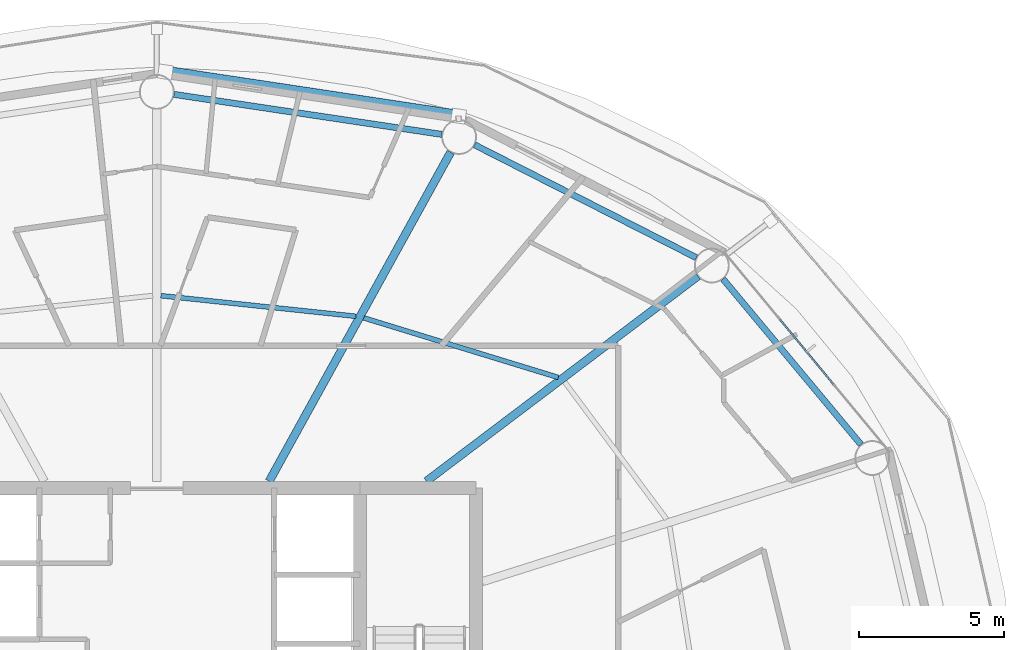
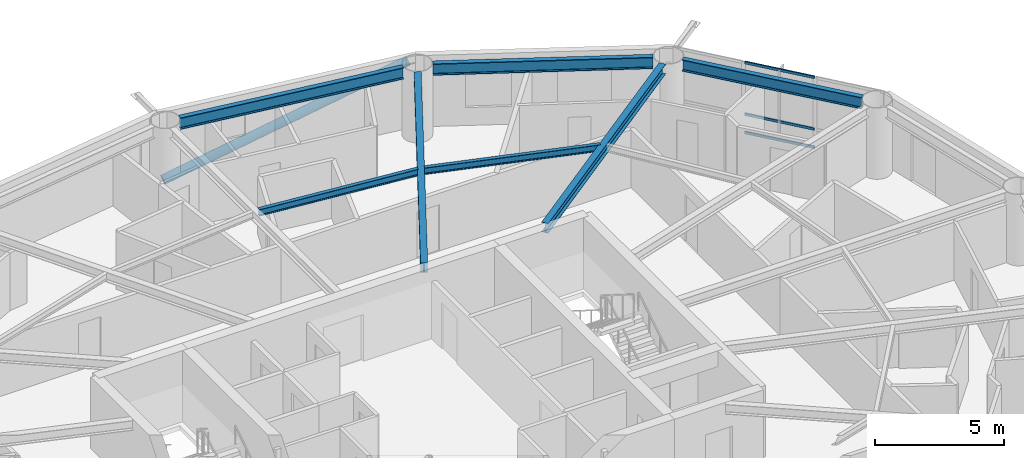
# One storey, part 14 of 28: 7 beams, 4 members, 1 element without a shape of its own.
"""IFC4 building model written with IfcOpenShell, lengths in metres."""

from ifc_helpers import new_model, si_unit, direction, frame, origin, origin_2d, place, context, subcontext, project, spatial, hollow_rectangle, hollow_circle, i_section, extrude, material, layer, layer_set, material_profile, profile_set, type_object, element, aggregate, save


model = new_model("IFC4")

# Units and contexts
model_context = context("Model", 3, precision=1e-05, world=origin(), true_north=direction((0.0, 1.0)))
body_context = subcontext(model_context, "Body", "Model", "MODEL_VIEW")
ifc_project = project(units=[si_unit("LENGTHUNIT", "METRE"), si_unit("AREAUNIT", "SQUARE_METRE"), si_unit("VOLUMEUNIT", "CUBIC_METRE"), si_unit("PLANEANGLEUNIT", "RADIAN"), si_unit("MASSUNIT", "GRAM", prefix="KILO")], contexts=[model_context])

# Site, building, storey
site_placement = place(None, origin())
site = spatial("IfcSite", under=ifc_project, at=site_placement, CompositionType="ELEMENT")
building_placement = place(site_placement, origin())
building = spatial("IfcBuilding", under=site, at=building_placement, Name="Sarneth Arch Tower", CompositionType="ELEMENT")
storey_placement = place(building_placement, frame((0.0, 0.0, 179.39990234375)))
storey = spatial("IfcBuildingStorey", under=building, at=storey_placement, Name="L45", CompositionType="ELEMENT", Elevation=179.39990234375)

# Beams
ifc_material_1 = material(Name="Steel S355", Category="steel")
ifc_material_profile_1 = material_profile(ifc_material_1, i_section(OverallWidth=0.1669921875, OverallDepth=0.31689453125, WebThickness=0.007568359375, FlangeThickness=0.01318359375, FilletRadius=0.012939453125, at=origin_2d()), Name="W310x52")
ifc_profile_set_1 = profile_set([ifc_material_profile_1], Name="Steel S355")
beam_type_1 = type_object("IfcBeamType", Name="BM-JOIST-310B", PredefinedType="JOIST", material=ifc_profile_set_1)
beam_1_placement = place(storey_placement, frame((61.84130859375, 52.602783203125, 3.2216796875), z_axis=(-0.956178669891, 0.292783796076, 0.0), x_axis=(-0.292783796076, -0.956178669891, 0.0)))
element("IfcBeam", 1, at=beam_1_placement, inside=storey, type_object=beam_type_1, Name="L45 Secondary floor joist 03", PredefinedType="JOIST", context=body_context, shape_type="SweptSolid", body=[
    extrude(i_section(OverallWidth=0.1669921875, OverallDepth=0.31689453125, WebThickness=0.007568359375, FlangeThickness=0.01318359375, FilletRadius=0.012939453125, at=origin_2d()), origin(), (0.0, 0.0, 1.0), 7.010986328125),
])
beam_2_placement = place(storey_placement, frame((54.8642578125, 54.711181640625, 3.2216796875), z_axis=(-0.994447340543, 0.105235387994, 0.0), x_axis=(-0.105235387994, -0.994447340543, 0.0)))
element("IfcBeam", 2, at=beam_2_placement, inside=storey, type_object=beam_type_1, Name="L45 Secondary floor joist 04", PredefinedType="JOIST", context=body_context, shape_type="SweptSolid", body=[
    extrude(i_section(OverallWidth=0.1669921875, OverallDepth=0.31689453125, WebThickness=0.007568359375, FlangeThickness=0.01318359375, FilletRadius=0.012939453125, at=origin_2d()), origin(), (0.0, 0.0, 1.0), 6.7626953125),
])
ifc_material_2 = material(Name="Steel S355", Category="steel")
ifc_material_profile_2 = material_profile(ifc_material_2, i_section(OverallWidth=0.280029296875, OverallDepth=0.462890625, WebThickness=0.0107421875, FlangeThickness=0.017333984375, FilletRadius=0.01806640625, at=origin_2d()), Name="W460x113")
ifc_profile_set_2 = profile_set([ifc_material_profile_2], Name="Steel S355")
beam_type_2 = type_object("IfcBeamType", Name="BM-RAD-460A", PredefinedType="BEAM", material=ifc_profile_set_2)
beam_3_placement = place(storey_placement, frame((57.29541015625, 49.02490234375, 3.148681640625), z_axis=(0.797784574467, 0.602942594898, 0.0), x_axis=(-0.602942594898, 0.797784574467, 0.0)))
element("IfcBeam", 3, at=beam_3_placement, inside=storey, type_object=beam_type_2, Name="L45 Radial floor girder 03", PredefinedType="BEAM", context=body_context, shape_type="SweptSolid", body=[
    extrude(i_section(OverallWidth=0.280029296875, OverallDepth=0.462890625, WebThickness=0.0107421875, FlangeThickness=0.017333984375, FilletRadius=0.01806640625, at=origin_2d()), origin(), (0.0, 0.0, 1.0), 11.73193359375),
])
beam_4_placement = place(storey_placement, frame((51.875, 49.02490234375, 3.148681640625), z_axis=(0.483010082599, 0.875614789795, 0.0), x_axis=(-0.875614789795, 0.483010082599, 0.0)))
element("IfcBeam", 4, at=beam_4_placement, inside=storey, type_object=beam_type_2, Name="L45 Radial floor girder 04", PredefinedType="BEAM", context=body_context, shape_type="SweptSolid", body=[
    extrude(i_section(OverallWidth=0.280029296875, OverallDepth=0.462890625, WebThickness=0.0107421875, FlangeThickness=0.017333984375, FilletRadius=0.01806640625, at=origin_2d()), origin(), (0.0, 0.0, 1.0), 12.954345703125),
])
ifc_material_3 = material(Name="Steel S355", Category="steel")
ifc_material_profile_3 = material_profile(ifc_material_3, i_section(OverallWidth=0.214111328125, OverallDepth=0.549072265625, WebThickness=0.0146484375, FlangeThickness=0.023681640625, FilletRadius=0.01806640625, at=origin_2d()), Name="W530x138")
ifc_profile_set_3 = profile_set([ifc_material_profile_3], Name="Steel S355")
beam_type_3 = type_object("IfcBeamType", Name="BM-RAD-530A", PredefinedType="BEAM", material=ifc_profile_set_3)
beam_5_placement = place(storey_placement, frame((72.278076171875, 50.286865234375, 3.105712890625), z_axis=(-0.640161793626, 0.768240117399, 0.0), x_axis=(-0.768240117399, -0.640161793626, 0.0)))
element("IfcBeam", 5, at=beam_5_placement, inside=storey, type_object=beam_type_3, Name="L45 Perimeter spandrel beam 02", PredefinedType="BEAM", context=body_context, shape_type="SweptSolid", body=[
    extrude(i_section(OverallWidth=0.214111328125, OverallDepth=0.549072265625, WebThickness=0.0146484375, FlangeThickness=0.023681640625, FilletRadius=0.01806640625, at=origin_2d()), origin(), (0.0, 0.0, 1.0), 7.43603515625),
])
beam_6_placement = place(storey_placement, frame((66.59912109375, 56.732421875, 3.105712890625), z_axis=(-0.891250372735, 0.453511601945, 0.0), x_axis=(-0.453511601945, -0.891250372735, 0.0)))
element("IfcBeam", 6, at=beam_6_placement, inside=storey, type_object=beam_type_3, Name="L45 Perimeter spandrel beam 03", PredefinedType="BEAM", context=body_context, shape_type="SweptSolid", body=[
    extrude(i_section(OverallWidth=0.214111328125, OverallDepth=0.549072265625, WebThickness=0.0146484375, FlangeThickness=0.023681640625, FilletRadius=0.01806640625, at=origin_2d()), origin(), (0.0, 0.0, 1.0), 8.5751953125),
])
beam_7_placement = place(storey_placement, frame((57.828369140625, 60.98193359375, 3.105712890625), z_axis=(-0.98902783755, 0.147729267756, 0.0), x_axis=(-0.147729267756, -0.98902783755, 0.0)))
element("IfcBeam", 7, at=beam_7_placement, inside=storey, type_object=beam_type_3, Name="L45 Perimeter spandrel beam 04", PredefinedType="BEAM", context=body_context, shape_type="SweptSolid", body=[
    extrude(i_section(OverallWidth=0.214111328125, OverallDepth=0.549072265625, WebThickness=0.0146484375, FlangeThickness=0.023681640625, FilletRadius=0.01806640625, at=origin_2d()), origin(), (0.0, 0.0, 1.0), 9.33740234375),
])

# Curtain wall, members
ifc_material_4 = material(Name="Anodised aluminium Type AA25 and solar-control low-e laminated IGU", Category="aluminium")
ifc_layer = layer(ifc_material_4, 0.169921875)
ifc_layer_set = layer_set([ifc_layer], Name="Anodised aluminium Type AA25 and solar-control low-e laminated IGU")
curtain_wall_type = type_object("IfcCurtainWallType", Name="CW-RES-MID", PredefinedType="NOTDEFINED", material=ifc_layer_set)
curtain_wall_placement = place(storey_placement, origin())
curtain_wall = element("IfcCurtainWall", 8, at=curtain_wall_placement, inside=storey, type_object=curtain_wall_type, Name="L45 Unitised curtain wall facet 02", PredefinedType="NOTDEFINED")
ifc_material_5 = material(Name="Anodised Aluminium 6063-T6", Category="aluminium")
ifc_material_profile_4 = material_profile(ifc_material_5, hollow_rectangle(XDim=0.06005859375, YDim=0.1201171875, WallThickness=0.00390625, at=origin_2d()), Name="AL-TRAN-120x60x4")
ifc_profile_set_4 = profile_set([ifc_material_profile_4], Name="Anodised Aluminium 6063-T6")
member_type_1 = type_object("IfcMemberType", Name="CW-TRANSOM", PredefinedType="USERDEFINED", material=ifc_profile_set_4)
member_1_placement = place(storey_placement, frame((71.327880859375, 52.36962890625, 0.030029296875), z_axis=(-0.637329777791, 0.770591171985, 0.0), x_axis=(-0.770591171985, -0.637329777791, 0.0)))
member_1 = element("IfcMember", 9, at=member_1_placement, type_object=member_type_1, Name="CW-SYS-5 transom 2.1", ObjectType="TRANSOM", PredefinedType="USERDEFINED", context=body_context, shape_type="SweptSolid", body=[
    extrude(hollow_rectangle(XDim=0.06005859375, YDim=0.1201171875, WallThickness=0.00390625, at=origin_2d()), origin(), (0.0, 0.0, 1.0), 2.898193359375),
])
member_2_placement = place(storey_placement, frame((71.327880859375, 52.36962890625, 0.900146484375), z_axis=(-0.637329777791, 0.770591171985, 0.0), x_axis=(-0.770591171985, -0.637329777791, 0.0)))
member_2 = element("IfcMember", 10, at=member_2_placement, type_object=member_type_1, Name="CW-SYS-5 transom 2.2", ObjectType="TRANSOM", PredefinedType="USERDEFINED", context=body_context, shape_type="SweptSolid", body=[
    extrude(hollow_rectangle(XDim=0.06005859375, YDim=0.1201171875, WallThickness=0.00390625, at=origin_2d()), origin(), (0.0, 0.0, 1.0), 2.898193359375),
])
member_3_placement = place(storey_placement, frame((71.327880859375, 52.36962890625, 3.35009765625), z_axis=(-0.637329777791, 0.770591171985, 0.0), x_axis=(-0.770591171985, -0.637329777791, 0.0)))
member_3 = element("IfcMember", 11, at=member_3_placement, type_object=member_type_1, Name="CW-SYS-5 transom 2.3", ObjectType="TRANSOM", PredefinedType="USERDEFINED", context=body_context, shape_type="SweptSolid", body=[
    extrude(hollow_rectangle(XDim=0.06005859375, YDim=0.1201171875, WallThickness=0.00390625, at=origin_2d()), origin(), (0.0, 0.0, 1.0), 2.898193359375),
])
aggregate(curtain_wall, [member_1, member_2, member_3])

# Member
ifc_material_6 = material(Name="Steel S355", Category="steel")
ifc_material_profile_5 = material_profile(ifc_material_6, hollow_circle(Radius=0.202880859375, WallThickness=0.01611328125, at=origin_2d()), Name="CHS406x16")
ifc_profile_set_5 = profile_set([ifc_material_profile_5], Name="Steel S355")
member_type_2 = type_object("IfcMemberType", Name="MEM-DIAG-BR2", PredefinedType="BRACE", material=ifc_profile_set_5)
member_4_placement = place(storey_placement, frame((48.296630859375, 63.13525390625, 0.02001953125), z_axis=(0.948046741033, -0.142821852705, 0.284269757812), x_axis=(0.148967610144, 0.988842075929, 0.0)))
element("IfcMember", 12, at=member_4_placement, inside=storey, type_object=member_type_2, Name="L45 Perimeter frame diagonal 04", PredefinedType="BRACE", context=body_context, shape_type="SweptSolid", body=[
    extrude(hollow_circle(Radius=0.202880859375, WallThickness=0.01611328125, at=origin_2d()), origin(), (0.0, 0.0, 1.0), 10.66162109375),
])

save(model, "model.ifc")
